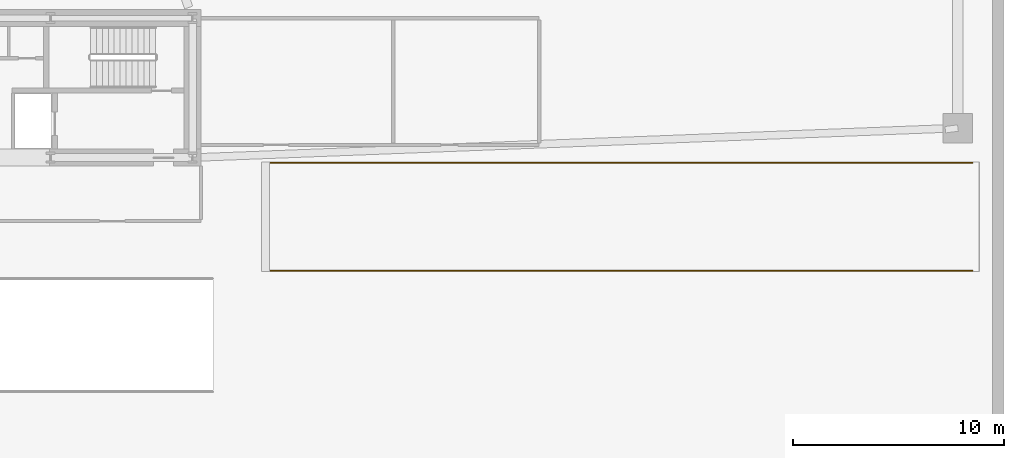
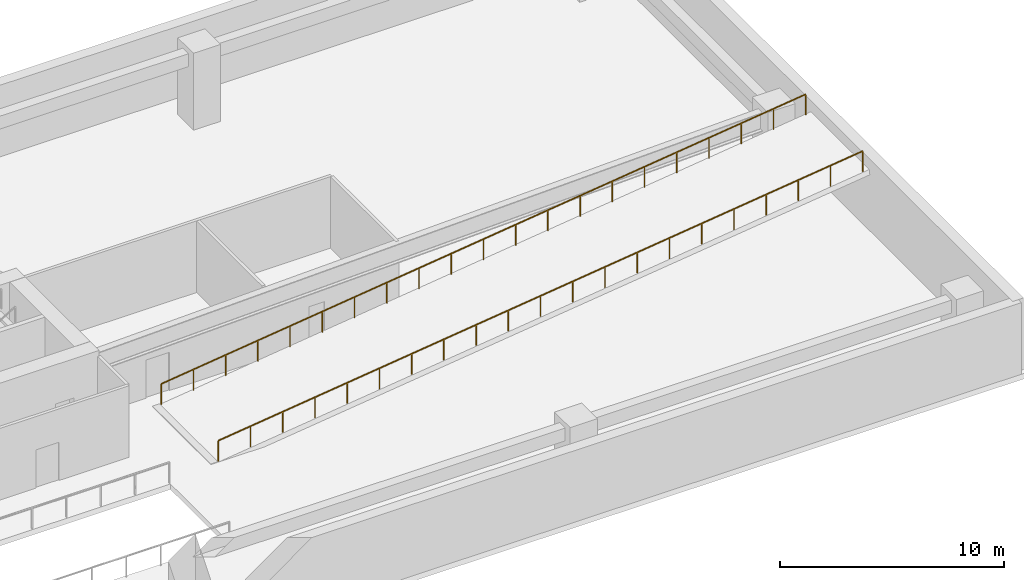
# One storey, part 7 of 7: 2 railings.
"""IFC4 building model written with IfcOpenShell, lengths in metres."""

from ifc_helpers import new_model, si_unit, direction, frame, origin, origin_2d, place, context, subcontext, project, spatial, rectangle, extrude, source, transform, mapped, material, type_object, type_shapes, element, save


model = new_model("IFC4")

# Units and contexts
model_context = context("Model", 3, precision=1e-05, world=origin(), true_north=direction((0.0, 1.0)))
body_context = subcontext(model_context, "Body", "Model", "MODEL_VIEW")
ifc_project = project(units=[si_unit("LENGTHUNIT", "METRE"), si_unit("AREAUNIT", "SQUARE_METRE"), si_unit("VOLUMEUNIT", "CUBIC_METRE"), si_unit("PLANEANGLEUNIT", "RADIAN"), si_unit("MASSUNIT", "GRAM", prefix="KILO")], contexts=[model_context])

# Site, building, storey
site_placement = place(None, origin())
site = spatial("IfcSite", under=ifc_project, at=site_placement, CompositionType="ELEMENT")
building_placement = place(site_placement, origin())
building = spatial("IfcBuilding", under=site, at=building_placement, Name="Astriad Promenade Condominiums", CompositionType="ELEMENT")
storey_placement = place(building_placement, frame((0.0, 0.0, -4.199951171875)))
storey = spatial("IfcBuildingStorey", under=building, at=storey_placement, Name="B01", CompositionType="ELEMENT", Elevation=-4.199951171875)

# Railings
ifc_material = material(Name="Anodised Aluminium and Glass Terrace Guardrail", Category="aluminium")
railing_type = type_object("IfcRailingType", Name="GRD-TERR-1150", PredefinedType="GUARDRAIL", material=ifc_material)
shared_shape = source(origin(), body_context, "Body", "SweptSolid", [
    extrude(rectangle(XDim=0.048095703125, YDim=0.048095703125, at=origin_2d()), frame((0.0, 0.0, 1.1259765625), z_axis=(0.992278325478, 0.0, 0.124031144426), x_axis=(0.0, 1.0, 0.0)), (0.0, 0.0, 1.0), 8.36962890625),
    extrude(rectangle(XDim=0.048095703125, YDim=0.048095703125, at=origin_2d()), frame((8.304931640625, 0.0, 2.1640625), z_axis=(0.992278325478, 0.0, 0.124031144426), x_axis=(0.0, 1.0, 0.0)), (0.0, 0.0, 1.0), 8.36962890625),
    extrude(rectangle(XDim=0.048095703125, YDim=0.048095703125, at=origin_2d()), frame((16.60986328125, 0.0, 3.2021484375), z_axis=(0.992275183946, 0.0, 0.124056274835), x_axis=(0.0, 1.0, 0.0)), (0.0, 0.0, 1.0), 8.369873046875),
    extrude(rectangle(XDim=0.048095703125, YDim=0.048095703125, at=origin_2d()), frame((24.9150390625, 0.0, 4.240234375), z_axis=(0.992278325478, 0.0, 0.124031144426), x_axis=(0.0, 1.0, 0.0)), (0.0, 0.0, 1.0), 8.36962890625),
    extrude(rectangle(XDim=0.0419921875, YDim=0.0419921875, at=origin_2d()), origin(), (0.0, 0.0, 1.0), 1.101806640625),
    extrude(rectangle(XDim=0.0419921875, YDim=0.0419921875, at=origin_2d()), frame((1.660888671875, 0.0, 0.20751953125)), (0.0, 0.0, 1.0), 1.101806640625),
    extrude(rectangle(XDim=0.0419921875, YDim=0.0419921875, at=origin_2d()), frame((3.322021484375, 0.0, 0.415283203125)), (0.0, 0.0, 1.0), 1.101806640625),
    extrude(rectangle(XDim=0.0419921875, YDim=0.0419921875, at=origin_2d()), frame((4.98291015625, 0.0, 0.622802734375)), (0.0, 0.0, 1.0), 1.101806640625),
    extrude(rectangle(XDim=0.0419921875, YDim=0.0419921875, at=origin_2d()), frame((6.64404296875, 0.0, 0.83056640625)), (0.0, 0.0, 1.0), 1.101806640625),
    extrude(rectangle(XDim=0.0419921875, YDim=0.0419921875, at=origin_2d()), frame((8.304931640625, 0.0, 1.0380859375)), (0.0, 0.0, 1.0), 1.101806640625),
    extrude(rectangle(XDim=0.0419921875, YDim=0.0419921875, at=origin_2d()), frame((9.9658203125, 0.0, 1.24560546875)), (0.0, 0.0, 1.0), 1.101806640625),
    extrude(rectangle(XDim=0.0419921875, YDim=0.0419921875, at=origin_2d()), frame((11.626953125, 0.0, 1.453369140625)), (0.0, 0.0, 1.0), 1.101806640625),
    extrude(rectangle(XDim=0.0419921875, YDim=0.0419921875, at=origin_2d()), frame((13.287841796875, 0.0, 1.660888671875)), (0.0, 0.0, 1.0), 1.101806640625),
    extrude(rectangle(XDim=0.0419921875, YDim=0.0419921875, at=origin_2d()), frame((14.948974609375, 0.0, 1.86865234375)), (0.0, 0.0, 1.0), 1.101806640625),
    extrude(rectangle(XDim=0.0419921875, YDim=0.0419921875, at=origin_2d()), frame((16.60986328125, 0.0, 2.076171875)), (0.0, 0.0, 1.0), 1.101806640625),
    extrude(rectangle(XDim=0.0419921875, YDim=0.0419921875, at=origin_2d()), frame((18.27099609375, 0.0, 2.283935546875)), (0.0, 0.0, 1.0), 1.101806640625),
    extrude(rectangle(XDim=0.0419921875, YDim=0.0419921875, at=origin_2d()), frame((19.931884765625, 0.0, 2.491455078125)), (0.0, 0.0, 1.0), 1.101806640625),
    extrude(rectangle(XDim=0.0419921875, YDim=0.0419921875, at=origin_2d()), frame((21.593017578125, 0.0, 2.69921875)), (0.0, 0.0, 1.0), 1.101806640625),
    extrude(rectangle(XDim=0.0419921875, YDim=0.0419921875, at=origin_2d()), frame((23.25390625, 0.0, 2.90673828125)), (0.0, 0.0, 1.0), 1.101806640625),
    extrude(rectangle(XDim=0.0419921875, YDim=0.0419921875, at=origin_2d()), frame((24.9150390625, 0.0, 3.114501953125)), (0.0, 0.0, 1.0), 1.101806640625),
    extrude(rectangle(XDim=0.0419921875, YDim=0.0419921875, at=origin_2d()), frame((26.575927734375, 0.0, 3.322021484375)), (0.0, 0.0, 1.0), 1.101806640625),
    extrude(rectangle(XDim=0.0419921875, YDim=0.0419921875, at=origin_2d()), frame((28.237060546875, 0.0, 3.52978515625)), (0.0, 0.0, 1.0), 1.101806640625),
    extrude(rectangle(XDim=0.0419921875, YDim=0.0419921875, at=origin_2d()), frame((29.89794921875, 0.0, 3.7373046875)), (0.0, 0.0, 1.0), 1.101806640625),
    extrude(rectangle(XDim=0.0419921875, YDim=0.0419921875, at=origin_2d()), frame((31.55908203125, 0.0, 3.945068359375)), (0.0, 0.0, 1.0), 1.101806640625),
    extrude(rectangle(XDim=0.0419921875, YDim=0.0419921875, at=origin_2d()), frame((33.219970703125, 0.0, 4.152587890625)), (0.0, 0.0, 1.0), 1.101806640625),
])
type_shapes(railing_type, [shared_shape])
for number, where, name in (
    (1, (49.2900390625, 12.050048828125, 0.0048828125), "GRD-VR-2-S"),
    (2, (49.2900390625, 17.14990234375, 0.0048828125), "GRD-VR-2-N"),
):
    element("IfcRailing", number, at=place(storey_placement, frame(where)), inside=storey, type_object=railing_type, Name=name, PredefinedType="GUARDRAIL", context=body_context, shape_type="MappedRepresentation", body=[
        mapped(shared_shape, transform((0.0, 0.0, 0.0), scale=1.0)),
    ])

save(model, "model.ifc")
